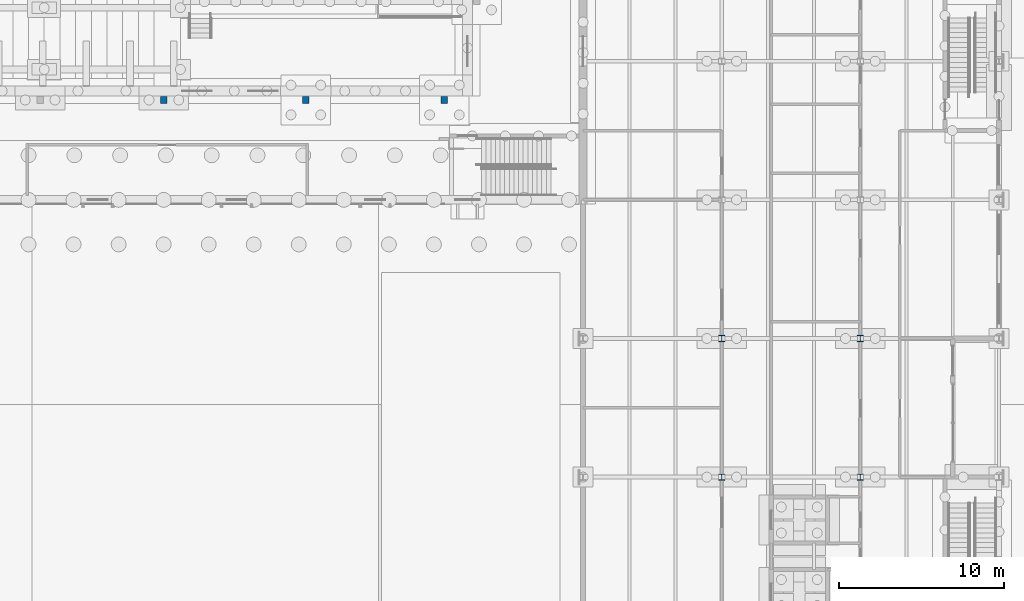
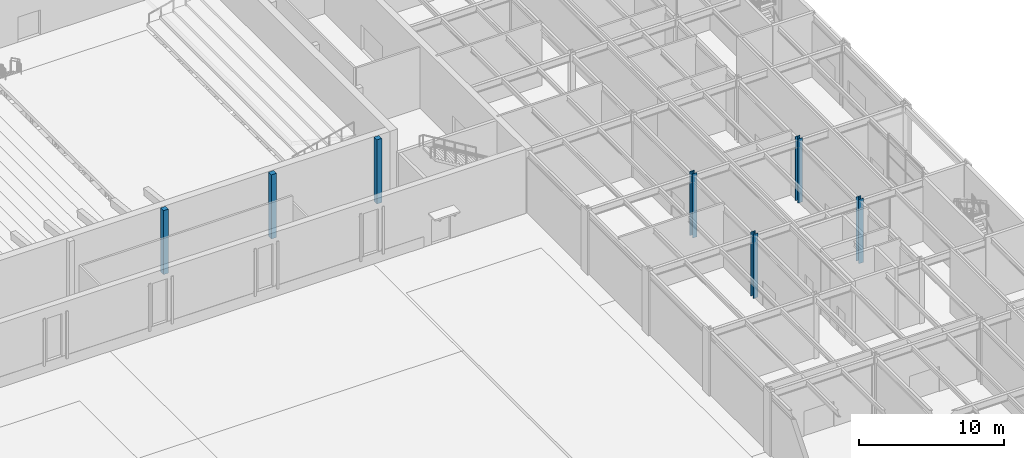
# One storey, part 21 of 127: 7 columns.
"""IFC4 building model written with IfcOpenShell, lengths in metres."""

from ifc_helpers import new_model, si_unit, direction, frame, origin, origin_2d, place, context, subcontext, project, spatial, rectangle, i_section, extrude, material, material_profile, profile_set, type_object, element, save


model = new_model("IFC4")

# Units and contexts
model_context = context("Model", 3, precision=1e-05, world=origin(), true_north=direction((0.0, 1.0)))
body_context = subcontext(model_context, "Body", "Model", "MODEL_VIEW")
ifc_project = project(units=[si_unit("LENGTHUNIT", "METRE"), si_unit("AREAUNIT", "SQUARE_METRE"), si_unit("VOLUMEUNIT", "CUBIC_METRE"), si_unit("PLANEANGLEUNIT", "RADIAN"), si_unit("MASSUNIT", "GRAM", prefix="KILO")], contexts=[model_context])

# Site, building, storey
site_placement = place(None, origin())
site = spatial("IfcSite", under=ifc_project, at=site_placement, CompositionType="ELEMENT")
building_placement = place(site_placement, origin())
building = spatial("IfcBuilding", under=site, at=building_placement, Name="Ljudholm Concert House", CompositionType="ELEMENT")
storey_placement = place(building_placement, origin())
storey = spatial("IfcBuildingStorey", under=building, at=storey_placement, Name="L00", CompositionType="ELEMENT", Elevation=0.0)

# Columns
ifc_material_1 = material(Name="Concrete 6,500 psi", Category="concrete")
ifc_material_profile_1 = material_profile(ifc_material_1, rectangle(XDim=0.39990234375, YDim=0.39990234375, at=origin_2d()), Name="RC COLUMN 400x400")
ifc_profile_set_1 = profile_set([ifc_material_profile_1], Name="Concrete 6,500 psi")
column_type_1 = type_object("IfcColumnType", Name="RC COLUMN 400x400", PredefinedType="COLUMN", material=ifc_profile_set_1)
for number, where, z_axis, x_axis, name in (
    (1, (71.0, 60.449951171875, 0.0), (0.0, 0.0, 1.0), (1.0, 0.0, 0.0), "Ring column"),
    (2, (79.60009765625, 60.449951171875, 0.0), (0.0, 0.0, 1.0), (1.0, 0.0, 0.0), "Ring column"),
    (3, (88.0, 60.449951171875, 0.0), (0.0, 0.0, 1.0), (1.0, 0.0, 0.0), "Ring column"),
):
    element("IfcColumn", number, at=place(storey_placement, frame(where, z_axis=z_axis, x_axis=x_axis)), inside=storey, type_object=column_type_1, Name=name, PredefinedType="COLUMN", context=body_context, shape_type="SweptSolid", body=[
        extrude(rectangle(XDim=0.39990234375, YDim=0.39990234375, at=origin_2d()), origin(), (0.0, 0.0, 1.0), 5.39990234375),
    ])
ifc_material_2 = material(Name="Steel ASTM A992", Category="steel")
ifc_material_profile_2 = material_profile(ifc_material_2, i_section(OverallWidth=0.373291015625, OverallDepth=0.373291015625, WebThickness=0.016357421875, FlangeThickness=0.026123046875, FilletRadius=0.01513671875, at=origin_2d()), Name="W14X132")
ifc_profile_set_2 = profile_set([ifc_material_profile_2], Name="Steel ASTM A992")
column_type_2 = type_object("IfcColumnType", Name="STEEL COLUMN W14X132", PredefinedType="COLUMN", material=ifc_profile_set_2)
for number, where, z_axis, x_axis, name in (
    (4, (104.800048828125, 37.60009765625, 0.0), (0.0, 0.0, 1.0), (1.0, 0.0, 0.0), "Column BOH-L00-col-104.8-37.6"),
    (5, (104.800048828125, 46.0, 0.0), (0.0, 0.0, 1.0), (1.0, 0.0, 0.0), "Column BOH-L00-col-104.8-46"),
    (6, (113.199951171875, 37.60009765625, 0.0), (0.0, 0.0, 1.0), (1.0, 0.0, 0.0), "Column BOH-L00-col-113.2-37.6"),
    (7, (113.199951171875, 46.0, 0.0), (0.0, 0.0, 1.0), (1.0, 0.0, 0.0), "Column BOH-L00-col-113.2-46"),
):
    element("IfcColumn", number, at=place(storey_placement, frame(where, z_axis=z_axis, x_axis=x_axis)), inside=storey, type_object=column_type_2, Name=name, PredefinedType="COLUMN", context=body_context, shape_type="SweptSolid", body=[
        extrude(i_section(OverallWidth=0.373291015625, OverallDepth=0.373291015625, WebThickness=0.016357421875, FlangeThickness=0.026123046875, FilletRadius=0.01513671875, at=origin_2d()), origin(), (0.0, 0.0, 1.0), 5.39990234375),
    ])

save(model, "model.ifc")
